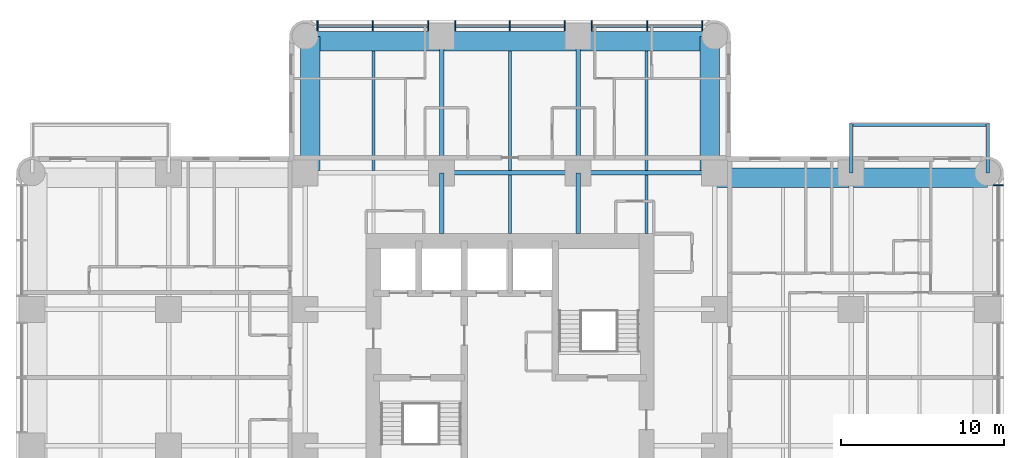
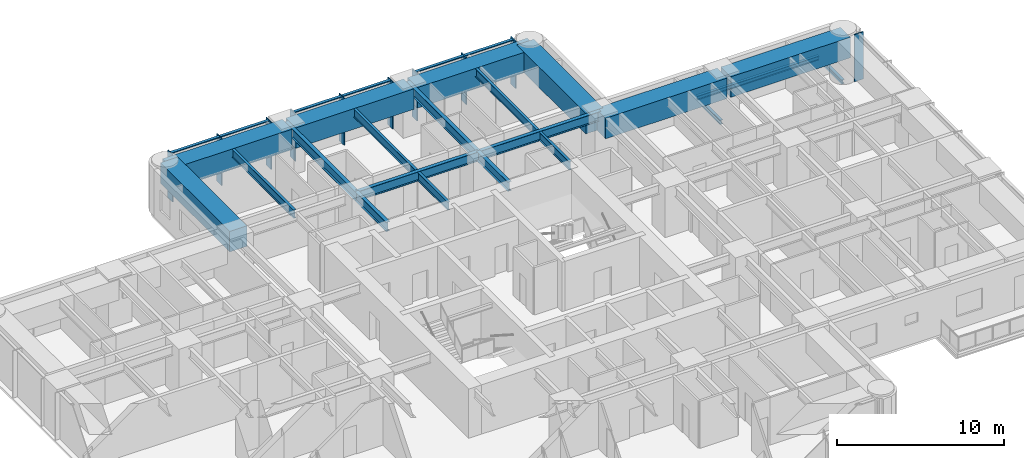
# One storey, part 4 of 14: 21 beams, 16 members, 2 elements without a shape of their own.
"""IFC4 building model written with IfcOpenShell, lengths in metres."""

from ifc_helpers import new_model, si_unit, direction, frame, origin, origin_2d, place, context, subcontext, project, spatial, rectangle, i_section, extrude, material, material_profile, profile_set, type_object, element, aggregate, save


model = new_model("IFC4")

# Units and contexts
model_context = context("Model", 3, precision=1e-05, world=origin(), true_north=direction((0.0, 1.0)))
body_context = subcontext(model_context, "Body", "Model", "MODEL_VIEW")
ifc_project = project(units=[si_unit("LENGTHUNIT", "METRE"), si_unit("AREAUNIT", "SQUARE_METRE"), si_unit("VOLUMEUNIT", "CUBIC_METRE"), si_unit("PLANEANGLEUNIT", "RADIAN"), si_unit("MASSUNIT", "GRAM", prefix="KILO")], contexts=[model_context])

# Site, building, storey
site_placement = place(None, origin())
site = spatial("IfcSite", under=ifc_project, at=site_placement, CompositionType="ELEMENT")
building_placement = place(site_placement, origin())
building = spatial("IfcBuilding", under=site, at=building_placement, Name="Torre Alcanfor", CompositionType="ELEMENT")
storey_placement = place(building_placement, frame((0.0, 0.0, 141.300048828125)))
storey = spatial("IfcBuildingStorey", under=building, at=storey_placement, Name="L36", CompositionType="ELEMENT", Elevation=141.300048828125)

# Beams
ifc_material_1 = material(Name="Steel ASTM A992 Grade 50", Category="steel")
ifc_material_profile_1 = material_profile(ifc_material_1, i_section(OverallWidth=0.205322265625, OverallDepth=0.309814453125, WebThickness=0.00927734375, FlangeThickness=0.016357421875, at=origin_2d()), Name="W12x50")
ifc_profile_set_1 = profile_set([ifc_material_profile_1], Name="Steel ASTM A992 Grade 50")
beam_type_1 = type_object("IfcBeamType", Name="Balcony cantilever beam W12x50", PredefinedType="BEAM", material=ifc_profile_set_1)
for number, where, z_axis, x_axis, name in (
    (1, (50.39990234375, 42.0, -0.35498046875), (0.0, 1.0, 0.0), (-1.0, 0.0, 0.0), "Balcony cantilever beam L36-E1 1"),
    (2, (58.800048828125, 42.0, -0.35498046875), (0.0, 1.0, 0.0), (-1.0, 0.0, 0.0), "Balcony cantilever beam L36-E1 2"),
):
    element("IfcBeam", number, at=place(storey_placement, frame(where, z_axis=z_axis, x_axis=x_axis)), inside=storey, type_object=beam_type_1, Name=name, PredefinedType="BEAM", context=body_context, shape_type="SweptSolid", body=[
        extrude(i_section(OverallWidth=0.205322265625, OverallDepth=0.309814453125, WebThickness=0.00927734375, FlangeThickness=0.016357421875, at=origin_2d()), origin(), (0.0, 0.0, 1.0), 3.050048828125),
    ])
ifc_material_2 = material(Name="Steel ASTM A992 Grade 50", Category="steel")
ifc_material_profile_2 = material_profile(ifc_material_2, i_section(OverallWidth=0.203369140625, OverallDepth=0.30224609375, WebThickness=0.007568359375, FlangeThickness=0.01318359375, at=origin_2d()), Name="W12x40")
ifc_profile_set_2 = profile_set([ifc_material_profile_2], Name="Steel ASTM A992 Grade 50")
beam_type_2 = type_object("IfcBeamType", Name="Balcony edge trimmer W12x40", PredefinedType="BEAM", material=ifc_profile_set_2)
beam_1_placement = place(storey_placement, frame((50.39990234375, 44.9482421875, -0.35107421875), z_axis=(1.0, 0.0, 0.0), x_axis=(0.0, 1.0, 0.0)))
element("IfcBeam", 3, at=beam_1_placement, inside=storey, type_object=beam_type_2, Name="Balcony edge trimmer L36-E1", PredefinedType="BEAM", context=body_context, shape_type="SweptSolid", body=[
    extrude(i_section(OverallWidth=0.203369140625, OverallDepth=0.30224609375, WebThickness=0.007568359375, FlangeThickness=0.01318359375, at=origin_2d()), origin(), (0.0, 0.0, 1.0), 8.400146484375),
])

# Curtain wall, member
ifc_material_3 = material(Name="Aluminium and glass", Category="aluminium")
curtain_wall_type = type_object("IfcCurtainWallType", Name="CW-A unitised apartment glazing with vertical FIN", PredefinedType="NOTDEFINED", material=ifc_material_3)
curtain_wall_1_placement = place(storey_placement, origin())
curtain_wall_1 = element("IfcCurtainWall", 4, at=curtain_wall_1_placement, inside=storey, type_object=curtain_wall_type, Name="Curtain wall CW-A L36 8", PredefinedType="NOTDEFINED")
ifc_material_4 = material(Name="Bronze anodised aluminium", Category="aluminium")
ifc_material_profile_3 = material_profile(ifc_material_4, rectangle(XDim=0.60009765625, YDim=0.06494140625, at=origin_2d()), Name="CW-A mullion 65x600")
ifc_profile_set_3 = profile_set([ifc_material_profile_3], Name="Bronze anodised aluminium")
member_type_1 = type_object("IfcMemberType", Name="CW-A mullion with vertical FIN 65x600", PredefinedType="MULLION", material=ifc_profile_set_3)
member_1_placement = place(storey_placement, frame((59.449951171875, 41.24267578125, 0.0), z_axis=(0.0, 0.0, 1.0), x_axis=(-1.0, 0.0, 0.0)))
member_1 = element("IfcMember", 5, at=member_1_placement, type_object=member_type_1, Name="CW-A mullion 3.3", PredefinedType="MULLION", context=body_context, shape_type="SweptSolid", body=[
    extrude(rectangle(XDim=0.60009765625, YDim=0.06494140625, at=origin_2d()), origin(), (0.0, 0.0, 1.0), 3.449951171875),
])
aggregate(curtain_wall_1, [member_1])

# Curtain wall, members
curtain_wall_2_placement = place(storey_placement, origin())
curtain_wall_2 = element("IfcCurtainWall", 6, at=curtain_wall_2_placement, inside=storey, type_object=curtain_wall_type, Name="Curtain wall CW-A L36 11", PredefinedType="NOTDEFINED")
member_2_placement = place(storey_placement, frame((41.24267578125, 51.050048828125, 0.0), z_axis=(0.0, 0.0, 1.0), x_axis=(0.0, -1.0, 0.0)))
member_2 = element("IfcMember", 7, at=member_2_placement, type_object=member_type_1, Name="CW-A mullion 1.1", PredefinedType="MULLION", context=body_context, shape_type="SweptSolid", body=[
    extrude(rectangle(XDim=0.60009765625, YDim=0.06494140625, at=origin_2d()), origin(), (0.0, 0.0, 1.0), 3.449951171875),
])
member_3_placement = place(storey_placement, frame((37.840087890625, 51.050048828125, 0.0), z_axis=(0.0, 0.0, 1.0), x_axis=(0.0, -1.0, 0.0)))
member_3 = element("IfcMember", 8, at=member_3_placement, type_object=member_type_1, Name="CW-A mullion 1.2", PredefinedType="MULLION", context=body_context, shape_type="SweptSolid", body=[
    extrude(rectangle(XDim=0.60009765625, YDim=0.06494140625, at=origin_2d()), origin(), (0.0, 0.0, 1.0), 3.449951171875),
])
member_4_placement = place(storey_placement, frame((34.4375, 51.050048828125, 0.0), z_axis=(0.0, 0.0, 1.0), x_axis=(0.0, -1.0, 0.0)))
member_4 = element("IfcMember", 9, at=member_4_placement, type_object=member_type_1, Name="CW-A mullion 1.3", PredefinedType="MULLION", context=body_context, shape_type="SweptSolid", body=[
    extrude(rectangle(XDim=0.60009765625, YDim=0.06494140625, at=origin_2d()), origin(), (0.0, 0.0, 1.0), 3.449951171875),
])
member_5_placement = place(storey_placement, frame((32.762451171875, 51.050048828125, 0.0), z_axis=(0.0, 0.0, 1.0), x_axis=(0.0, -1.0, 0.0)))
member_5 = element("IfcMember", 10, at=member_5_placement, type_object=member_type_1, Name="CW-A mullion 2.1", PredefinedType="MULLION", context=body_context, shape_type="SweptSolid", body=[
    extrude(rectangle(XDim=0.60009765625, YDim=0.06494140625, at=origin_2d()), origin(), (0.0, 0.0, 1.0), 3.449951171875),
])
member_6_placement = place(storey_placement, frame((29.39990234375, 51.050048828125, 0.0), z_axis=(0.0, 0.0, 1.0), x_axis=(0.0, -1.0, 0.0)))
member_6 = element("IfcMember", 11, at=member_6_placement, type_object=member_type_1, Name="CW-A mullion 2.2", PredefinedType="MULLION", context=body_context, shape_type="SweptSolid", body=[
    extrude(rectangle(XDim=0.60009765625, YDim=0.06494140625, at=origin_2d()), origin(), (0.0, 0.0, 1.0), 3.449951171875),
])
member_7_placement = place(storey_placement, frame((26.03759765625, 51.050048828125, 0.0), z_axis=(0.0, 0.0, 1.0), x_axis=(0.0, -1.0, 0.0)))
member_7 = element("IfcMember", 12, at=member_7_placement, type_object=member_type_1, Name="CW-A mullion 2.3", PredefinedType="MULLION", context=body_context, shape_type="SweptSolid", body=[
    extrude(rectangle(XDim=0.60009765625, YDim=0.06494140625, at=origin_2d()), origin(), (0.0, 0.0, 1.0), 3.449951171875),
])
member_8_placement = place(storey_placement, frame((24.362548828125, 51.050048828125, 0.0), z_axis=(0.0, 0.0, 1.0), x_axis=(0.0, -1.0, 0.0)))
member_8 = element("IfcMember", 13, at=member_8_placement, type_object=member_type_1, Name="CW-A mullion 3.1", PredefinedType="MULLION", context=body_context, shape_type="SweptSolid", body=[
    extrude(rectangle(XDim=0.60009765625, YDim=0.06494140625, at=origin_2d()), origin(), (0.0, 0.0, 1.0), 3.449951171875),
])
member_9_placement = place(storey_placement, frame((20.9599609375, 51.050048828125, 0.0), z_axis=(0.0, 0.0, 1.0), x_axis=(0.0, -1.0, 0.0)))
member_9 = element("IfcMember", 14, at=member_9_placement, type_object=member_type_1, Name="CW-A mullion 3.2", PredefinedType="MULLION", context=body_context, shape_type="SweptSolid", body=[
    extrude(rectangle(XDim=0.60009765625, YDim=0.06494140625, at=origin_2d()), origin(), (0.0, 0.0, 1.0), 3.449951171875),
])
member_10_placement = place(storey_placement, frame((17.557373046875, 51.050048828125, 0.0), z_axis=(0.0, 0.0, 1.0), x_axis=(0.0, -1.0, 0.0)))
member_10 = element("IfcMember", 15, at=member_10_placement, type_object=member_type_1, Name="CW-A mullion 3.3", PredefinedType="MULLION", context=body_context, shape_type="SweptSolid", body=[
    extrude(rectangle(XDim=0.60009765625, YDim=0.06494140625, at=origin_2d()), origin(), (0.0, 0.0, 1.0), 3.449951171875),
])
ifc_material_5 = material(Name="Extruded aluminium", Category="aluminium")
ifc_material_profile_4 = material_profile(ifc_material_5, rectangle(XDim=0.199951171875, YDim=0.06494140625, at=origin_2d()), Name="CW-A transom 200x65")
ifc_profile_set_4 = profile_set([ifc_material_profile_4], Name="Extruded aluminium")
member_type_2 = type_object("IfcMemberType", Name="CW-A transom 65x200", PredefinedType="USERDEFINED", material=ifc_profile_set_4)
member_11_placement = place(storey_placement, frame((41.210205078125, 51.050048828125, 3.41748046875), z_axis=(-1.0, 0.0, 0.0), x_axis=(0.0, -1.0, 0.0)))
member_11 = element("IfcMember", 16, at=member_11_placement, type_object=member_type_2, Name="CW-A transom 1.1.2", ObjectType="TRANSOM", PredefinedType="USERDEFINED", context=body_context, shape_type="SweptSolid", body=[
    extrude(rectangle(XDim=0.199951171875, YDim=0.06494140625, at=origin_2d()), origin(), (0.0, 0.0, 1.0), 3.337646484375),
])
member_12_placement = place(storey_placement, frame((37.8076171875, 51.050048828125, 3.41748046875), z_axis=(-1.0, 0.0, 0.0), x_axis=(0.0, -1.0, 0.0)))
member_12 = element("IfcMember", 17, at=member_12_placement, type_object=member_type_2, Name="CW-A transom 1.2.2", ObjectType="TRANSOM", PredefinedType="USERDEFINED", context=body_context, shape_type="SweptSolid", body=[
    extrude(rectangle(XDim=0.199951171875, YDim=0.06494140625, at=origin_2d()), origin(), (0.0, 0.0, 1.0), 3.337646484375),
])
member_13_placement = place(storey_placement, frame((32.72998046875, 51.050048828125, 3.41748046875), z_axis=(-1.0, 0.0, 0.0), x_axis=(0.0, -1.0, 0.0)))
member_13 = element("IfcMember", 18, at=member_13_placement, type_object=member_type_2, Name="CW-A transom 2.1.2", ObjectType="TRANSOM", PredefinedType="USERDEFINED", context=body_context, shape_type="SweptSolid", body=[
    extrude(rectangle(XDim=0.199951171875, YDim=0.06494140625, at=origin_2d()), origin(), (0.0, 0.0, 1.0), 3.29736328125),
])
member_14_placement = place(storey_placement, frame((29.367431640625, 51.050048828125, 3.41748046875), z_axis=(-1.0, 0.0, 0.0), x_axis=(0.0, -1.0, 0.0)))
member_14 = element("IfcMember", 19, at=member_14_placement, type_object=member_type_2, Name="CW-A transom 2.2.2", ObjectType="TRANSOM", PredefinedType="USERDEFINED", context=body_context, shape_type="SweptSolid", body=[
    extrude(rectangle(XDim=0.199951171875, YDim=0.06494140625, at=origin_2d()), origin(), (0.0, 0.0, 1.0), 3.29736328125),
])
member_15_placement = place(storey_placement, frame((24.330078125, 51.050048828125, 3.41748046875), z_axis=(-1.0, 0.0, 0.0), x_axis=(0.0, -1.0, 0.0)))
member_15 = element("IfcMember", 20, at=member_15_placement, type_object=member_type_2, Name="CW-A transom 3.1.2", ObjectType="TRANSOM", PredefinedType="USERDEFINED", context=body_context, shape_type="SweptSolid", body=[
    extrude(rectangle(XDim=0.199951171875, YDim=0.06494140625, at=origin_2d()), origin(), (0.0, 0.0, 1.0), 3.337646484375),
])
member_16_placement = place(storey_placement, frame((20.927490234375, 51.050048828125, 3.41748046875), z_axis=(-1.0, 0.0, 0.0), x_axis=(0.0, -1.0, 0.0)))
member_16 = element("IfcMember", 21, at=member_16_placement, type_object=member_type_2, Name="CW-A transom 3.2.2", ObjectType="TRANSOM", PredefinedType="USERDEFINED", context=body_context, shape_type="SweptSolid", body=[
    extrude(rectangle(XDim=0.199951171875, YDim=0.06494140625, at=origin_2d()), origin(), (0.0, 0.0, 1.0), 3.337646484375),
])
aggregate(curtain_wall_2, [member_2, member_3, member_4, member_11, member_12, member_5, member_6, member_7, member_13, member_14, member_8, member_9, member_10, member_15, member_16])

# Beams
ifc_material_6 = material(Name="Steel ASTM A992 Grade 50", Category="steel")
ifc_material_profile_5 = material_profile(ifc_material_6, i_section(OverallWidth=0.25390625, OverallDepth=0.683349609375, WebThickness=0.012451171875, FlangeThickness=0.01904296875, at=origin_2d()), Name="W27x94")
ifc_profile_set_5 = profile_set([ifc_material_profile_5], Name="Steel ASTM A992 Grade 50")
beam_type_3 = type_object("IfcBeamType", Name="Girder W27x94", PredefinedType="BEAM", material=ifc_profile_set_5)
beam_2_placement = place(storey_placement, frame((25.199951171875, 42.0, 3.1083984375), z_axis=(1.0, 0.0, 0.0), x_axis=(0.0, 1.0, 0.0)))
element("IfcBeam", 22, at=beam_2_placement, inside=storey, type_object=beam_type_3, Name="Beam 4H-5H under L37", PredefinedType="BEAM", context=body_context, shape_type="SweptSolid", body=[
    extrude(i_section(OverallWidth=0.25390625, OverallDepth=0.683349609375, WebThickness=0.012451171875, FlangeThickness=0.01904296875, at=origin_2d()), origin(), (0.0, 0.0, 1.0), 8.400146484375),
])
for number, where, z_axis, x_axis, name in (
    (23, (33.60009765625, 42.0, 3.1083984375), (1.0, 0.0, 0.0), (0.0, 1.0, 0.0), "Beam 5H-6H under L37"),
    (24, (25.199951171875, 42.0, 3.1083984375), (0.0, 1.0, 0.0), (-1.0, 0.0, 0.0), "Beam 4H-4J under L37"),
    (25, (33.60009765625, 42.0, 3.1083984375), (0.0, 1.0, 0.0), (-1.0, 0.0, 0.0), "Beam 5H-5J under L37"),
):
    element("IfcBeam", number, at=place(storey_placement, frame(where, z_axis=z_axis, x_axis=x_axis)), inside=storey, type_object=beam_type_3, Name=name, PredefinedType="BEAM", context=body_context, shape_type="SweptSolid", body=[
        extrude(i_section(OverallWidth=0.25390625, OverallDepth=0.683349609375, WebThickness=0.012451171875, FlangeThickness=0.01904296875, at=origin_2d()), origin(), (0.0, 0.0, 1.0), 8.39990234375),
    ])
ifc_material_7 = material(Name="Steel ASTM A992 Grade 50", Category="steel")
ifc_material_profile_6 = material_profile(ifc_material_7, i_section(OverallWidth=0.25390625, OverallDepth=0.683349609375, WebThickness=0.012451171875, FlangeThickness=0.01904296875, at=origin_2d()), Name="W27x94")
ifc_profile_set_6 = profile_set([ifc_material_profile_6], Name="Steel ASTM A992 Grade 50")
beam_type_4 = type_object("IfcBeamType", Name="Girder, part bay W27x94", PredefinedType="BEAM", material=ifc_profile_set_6)
for number, where, z_axis, x_axis, name in (
    (26, (25.199951171875, 42.0, 3.1083984375), (0.0, -1.0, 0.0), (1.0, 0.0, 0.0), "Beam 4H-438_25 under L37"),
    (27, (33.60009765625, 42.0, 3.1083984375), (0.0, -1.0, 0.0), (1.0, 0.0, 0.0), "Beam 5H-538_25 under L37"),
):
    element("IfcBeam", number, at=place(storey_placement, frame(where, z_axis=z_axis, x_axis=x_axis)), inside=storey, type_object=beam_type_4, Name=name, PredefinedType="BEAM", context=body_context, shape_type="SweptSolid", body=[
        extrude(i_section(OverallWidth=0.25390625, OverallDepth=0.683349609375, WebThickness=0.012451171875, FlangeThickness=0.01904296875, at=origin_2d()), origin(), (0.0, 0.0, 1.0), 3.75),
    ])
ifc_material_8 = material(Name="Concrete f'c 70 MPa", Category="concrete")
ifc_material_profile_7 = material_profile(ifc_material_8, rectangle(XDim=1.199951171875, YDim=1.5, at=origin_2d()), Name="1200x1500")
ifc_profile_set_7 = profile_set([ifc_material_profile_7], Name="Concrete f'c 70 MPa")
beam_type_5 = type_object("IfcBeamType", Name="RC perimeter beam 1200x1500", PredefinedType="BEAM", material=ifc_profile_set_7)
beam_3_placement = place(storey_placement, frame((41.873046875, 41.699951171875, 2.699951171875), z_axis=(1.0, 0.0, 0.0), x_axis=(0.0, 1.0, 0.0)))
element("IfcBeam", 28, at=beam_3_placement, inside=storey, type_object=beam_type_5, Name="Beam 6H-7H under L37", PredefinedType="BEAM", context=body_context, shape_type="SweptSolid", body=[
    extrude(rectangle(XDim=1.199951171875, YDim=1.5, at=origin_2d()), origin(), (0.0, 0.0, 1.0), 8.39990234375),
])
for number, where, z_axis, x_axis, name in (
    (29, (50.527099609375, 41.699951171875, 2.699951171875), (1.0, 0.0, 0.0), (0.0, 1.0, 0.0), "Beam 7H-8H under L37"),
    (30, (16.800048828125, 50.10009765625, 2.699951171875), (1.0, 0.0, 0.0), (0.0, 1.0, 0.0), "Beam 3J-4J under L37"),
):
    element("IfcBeam", number, at=place(storey_placement, frame(where, z_axis=z_axis, x_axis=x_axis)), inside=storey, type_object=beam_type_5, Name=name, PredefinedType="BEAM", context=body_context, shape_type="SweptSolid", body=[
        extrude(rectangle(XDim=1.199951171875, YDim=1.5, at=origin_2d()), origin(), (0.0, 0.0, 1.0), 8.27294921875),
    ])
beam_4_placement = place(storey_placement, frame((25.326904296875, 50.10009765625, 2.699951171875), z_axis=(1.0, 0.0, 0.0), x_axis=(0.0, 1.0, 0.0)))
element("IfcBeam", 31, at=beam_4_placement, inside=storey, type_object=beam_type_5, Name="Beam 4J-5J under L37", PredefinedType="BEAM", context=body_context, shape_type="SweptSolid", body=[
    extrude(rectangle(XDim=1.199951171875, YDim=1.5, at=origin_2d()), origin(), (0.0, 0.0, 1.0), 8.14599609375),
])
for number, where, z_axis, x_axis, name in (
    (32, (33.72705078125, 50.10009765625, 2.699951171875), (1.0, 0.0, 0.0), (0.0, 1.0, 0.0), "Beam 5J-6J under L37"),
    (33, (17.10009765625, 42.126953125, 2.699951171875), (0.0, 1.0, 0.0), (-1.0, 0.0, 0.0), "Beam 3H-3J under L37"),
    (34, (41.699951171875, 42.126953125, 2.699951171875), (0.0, 1.0, 0.0), (-1.0, 0.0, 0.0), "Beam 6H-6J under L37"),
):
    element("IfcBeam", number, at=place(storey_placement, frame(where, z_axis=z_axis, x_axis=x_axis)), inside=storey, type_object=beam_type_5, Name=name, PredefinedType="BEAM", context=body_context, shape_type="SweptSolid", body=[
        extrude(rectangle(XDim=1.199951171875, YDim=1.5, at=origin_2d()), origin(), (0.0, 0.0, 1.0), 8.27294921875),
    ])
ifc_material_9 = material(Name="Steel ASTM A992 Grade 50", Category="steel")
ifc_material_profile_8 = material_profile(ifc_material_9, i_section(OverallWidth=0.1787109375, OverallDepth=0.60205078125, WebThickness=0.010986328125, FlangeThickness=0.014892578125, at=origin_2d()), Name="W24x62")
ifc_profile_set_8 = profile_set([ifc_material_profile_8], Name="Steel ASTM A992 Grade 50")
beam_type_6 = type_object("IfcBeamType", Name="Secondary beam W24x62", PredefinedType="BEAM", material=ifc_profile_set_8)
for number, where, z_axis, x_axis, name in (
    (35, (21.0, 42.126953125, 3.14892578125), (0.0, 1.0, 0.0), (-1.0, 0.0, 0.0), "Beam 21H-21J under L37"),
    (36, (29.39990234375, 42.126953125, 3.14892578125), (0.0, 1.0, 0.0), (-1.0, 0.0, 0.0), "Beam 29_4H-29_4J under L37"),
    (37, (37.800048828125, 42.126953125, 3.14892578125), (0.0, 1.0, 0.0), (-1.0, 0.0, 0.0), "Beam 37_8H-37_8J under L37"),
):
    element("IfcBeam", number, at=place(storey_placement, frame(where, z_axis=z_axis, x_axis=x_axis)), inside=storey, type_object=beam_type_6, Name=name, PredefinedType="BEAM", context=body_context, shape_type="SweptSolid", body=[
        extrude(i_section(OverallWidth=0.1787109375, OverallDepth=0.60205078125, WebThickness=0.010986328125, FlangeThickness=0.014892578125, at=origin_2d()), origin(), (0.0, 0.0, 1.0), 7.373046875),
    ])
ifc_material_10 = material(Name="Steel ASTM A992 Grade 50", Category="steel")
ifc_material_profile_9 = material_profile(ifc_material_10, i_section(OverallWidth=0.1787109375, OverallDepth=0.60205078125, WebThickness=0.010986328125, FlangeThickness=0.014892578125, at=origin_2d()), Name="W24x62")
ifc_profile_set_9 = profile_set([ifc_material_profile_9], Name="Steel ASTM A992 Grade 50")
beam_type_7 = type_object("IfcBeamType", Name="Secondary beam, part bay W24x62", PredefinedType="BEAM", material=ifc_profile_set_9)
for number, where, z_axis, x_axis, name in (
    (38, (29.39990234375, 38.25, 3.14892578125), (0.0, 1.0, 0.0), (-1.0, 0.0, 0.0), "Beam 29_438_25-29_4H under L37"),
    (39, (37.800048828125, 38.25, 3.14892578125), (0.0, 1.0, 0.0), (-1.0, 0.0, 0.0), "Beam 37_838_25-37_8H under L37"),
):
    element("IfcBeam", number, at=place(storey_placement, frame(where, z_axis=z_axis, x_axis=x_axis)), inside=storey, type_object=beam_type_7, Name=name, PredefinedType="BEAM", context=body_context, shape_type="SweptSolid", body=[
        extrude(i_section(OverallWidth=0.1787109375, OverallDepth=0.60205078125, WebThickness=0.010986328125, FlangeThickness=0.014892578125, at=origin_2d()), origin(), (0.0, 0.0, 1.0), 3.623046875),
    ])

save(model, "model.ifc")
